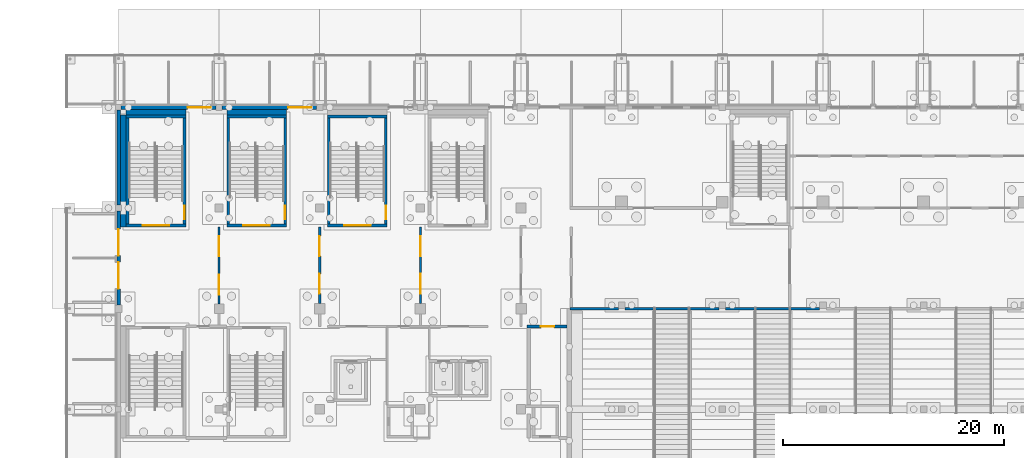
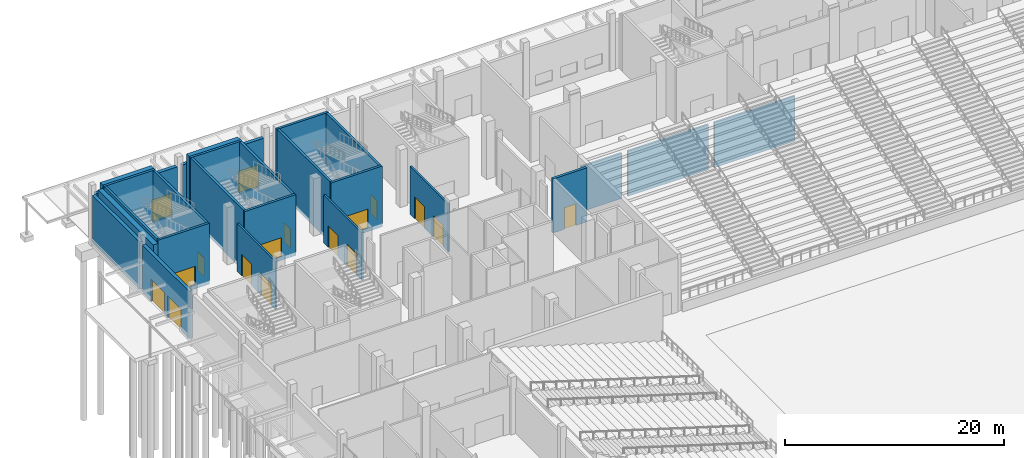
# One storey, part 78 of 129: 26 walls, 17 doors, 17 openings.
"""IFC4 building model written with IfcOpenShell, lengths in metres."""

from ifc_helpers import new_model, si_unit, direction, frame, frame_2d, origin, place, context, subcontext, project, spatial, rectangle, extrude, material, layer, layer_set, type_object, element, fill, save


model = new_model("IFC4")

# Units and contexts
model_context = context("Model", 3, precision=1e-05, world=origin(), true_north=direction((0.0, 1.0)))
body_context = subcontext(model_context, "Body", "Model", "MODEL_VIEW")
ifc_project = project(units=[si_unit("LENGTHUNIT", "METRE"), si_unit("AREAUNIT", "SQUARE_METRE"), si_unit("VOLUMEUNIT", "CUBIC_METRE"), si_unit("PLANEANGLEUNIT", "RADIAN"), si_unit("MASSUNIT", "GRAM", prefix="KILO")], contexts=[model_context])

# Site, building, storey
site_placement = place(None, origin())
site = spatial("IfcSite", under=ifc_project, at=site_placement, CompositionType="ELEMENT")
building_placement = place(site_placement, origin())
building = spatial("IfcBuilding", under=site, at=building_placement, Name="Shirokan Park Arena", CompositionType="ELEMENT")
storey_placement = place(building_placement, origin())
storey = spatial("IfcBuildingStorey", under=building, at=storey_placement, Name="L00", CompositionType="ELEMENT", Elevation=0.0)

# Wall, openings, doors
ifc_material_1 = material(Name="Gypsum board")
ifc_layer_1 = layer(ifc_material_1, 0.02490234375, Name="Gypsum board, two layers")
ifc_material_2 = material(Name="Mineral wool insulation")
ifc_layer_2 = layer(ifc_material_2, 0.14990234375, Name="Mineral wool insulation")
ifc_layer_3 = layer(ifc_material_1, 0.02490234375, Name="Gypsum board, two layers")
ifc_layer_set_1 = layer_set([ifc_layer_1, ifc_layer_2, ifc_layer_3], Name="Gypsum board, two layers + Mineral wool insulation")
wall_type_1 = type_object("IfcWallType", Name="Corridor wall 200", PredefinedType="PARTITIONING", material=ifc_layer_set_1)
wall_1_placement = place(storey_placement, frame((9.10009765625, 98.39990234375, 0.0), z_axis=(0.0, 0.0, 1.0), x_axis=(0.0, -1.0, 0.0)))
wall_1 = element("IfcWall", 1, at=wall_1_placement, inside=storey, type_object=wall_type_1, Name="Corridor wall 200 L00", PredefinedType="PARTITIONING", context=body_context, shape_type="SweptSolid", body=[
    extrude(rectangle(XDim=6.974853515625, YDim=0.199951171875, at=frame_2d((3.4873046875, 0.0))), origin(), (0.0, 0.0, 1.0), 5.320068359375),
])
opening_1_placement = place(wall_1_placement, frame((0.85009765625, 0.0, 0.0)))
opening_1 = element("IfcOpeningElement", 2, at=opening_1_placement, cuts=wall_1, Name="Opening D-0091", PredefinedType="OPENING", context=body_context, shape_type="SweptSolid", body=[
    extrude(rectangle(XDim=1.800048828125, YDim=2.39990234375, at=frame_2d((0.89990234375, 1.199951171875))), frame((0.0, 0.10986328125, 0.0), z_axis=(0.0, -1.0, 0.0), x_axis=(1.0, 0.0, 0.0)), (0.0, 0.0, 1.0), 0.219970703125),
])
opening_2_placement = place(wall_1_placement, frame((4.35009765625, 0.0, 0.0)))
opening_2 = element("IfcOpeningElement", 3, at=opening_2_placement, cuts=wall_1, Name="Opening D-0092", PredefinedType="OPENING", context=body_context, shape_type="SweptSolid", body=[
    extrude(rectangle(XDim=1.800048828125, YDim=2.39990234375, at=frame_2d((0.89990234375, 1.199951171875))), frame((0.0, 0.10986328125, 0.0), z_axis=(0.0, -1.0, 0.0), x_axis=(1.0, 0.0, 0.0)), (0.0, 0.0, 1.0), 0.219970703125),
])
ifc_material_3 = material(Name="Glazed steel door set, fire resisting", Category="steel")
door_type_1 = type_object("IfcDoorType", Name="Lift lobby door 1800 x 2400", OperationType="DOUBLE_DOOR_SINGLE_SWING", PredefinedType="DOOR", material=ifc_material_3)
door_1_placement = place(opening_1_placement, origin())
door_1 = element("IfcDoor", 4, at=door_1_placement, inside=storey, type_object=door_type_1, Name="Door between Equipment Lobby 4.0.1 and Hospitality Reception 4.0.2 D-0091", OperationType="DOUBLE_DOOR_SINGLE_SWING", OverallHeight=2.39990234375, OverallWidth=1.800048828125, PredefinedType="DOOR", context=body_context, shape_type="SweptSolid", body=[
    extrude(rectangle(XDim=1.800048828125, YDim=2.39990234375, at=frame_2d((0.89990234375, 1.199951171875))), frame((0.0, 0.02490234375, 0.0), z_axis=(0.0, -1.0, 0.0), x_axis=(1.0, 0.0, 0.0)), (0.0, 0.0, 1.0), 0.050048828125),
])
fill(opening_1, door_1)
door_2_placement = place(opening_2_placement, origin())
door_2 = element("IfcDoor", 5, at=door_2_placement, inside=storey, type_object=door_type_1, Name="Door between Equipment Lobby 4.0.1 and Hospitality Reception 4.0.2 D-0092", OperationType="DOUBLE_DOOR_SINGLE_SWING", OverallHeight=2.39990234375, OverallWidth=1.800048828125, PredefinedType="DOOR", context=body_context, shape_type="SweptSolid", body=[
    extrude(rectangle(XDim=1.800048828125, YDim=2.39990234375, at=frame_2d((0.89990234375, 1.199951171875))), frame((0.0, 0.02490234375, 0.0), z_axis=(0.0, -1.0, 0.0), x_axis=(1.0, 0.0, 0.0)), (0.0, 0.0, 1.0), 0.050048828125),
])
fill(opening_2, door_2)

wall_2_placement = place(storey_placement, frame((18.199951171875, 98.39990234375, 0.0), z_axis=(0.0, 0.0, 1.0), x_axis=(0.0, -1.0, 0.0)))
wall_2 = element("IfcWall", 6, at=wall_2_placement, inside=storey, type_object=wall_type_1, Name="Corridor wall 200 L00", PredefinedType="PARTITIONING", context=body_context, shape_type="SweptSolid", body=[
    extrude(rectangle(XDim=6.9248046875, YDim=0.199951171875, at=frame_2d((3.46240234375, 0.0))), origin(), (0.0, 0.0, 1.0), 5.320068359375),
])
opening_3_placement = place(wall_2_placement, frame((0.85009765625, 0.0, 0.0)))
opening_3 = element("IfcOpeningElement", 7, at=opening_3_placement, cuts=wall_2, Name="Opening D-0093", PredefinedType="OPENING", context=body_context, shape_type="SweptSolid", body=[
    extrude(rectangle(XDim=1.800048828125, YDim=2.39990234375, at=frame_2d((0.89990234375, 1.199951171875))), frame((0.0, 0.10986328125, 0.0), z_axis=(0.0, -1.0, 0.0), x_axis=(1.0, 0.0, 0.0)), (0.0, 0.0, 1.0), 0.219970703125),
])
opening_4_placement = place(wall_2_placement, frame((4.25, 0.0, 0.0)))
opening_4 = element("IfcOpeningElement", 8, at=opening_4_placement, cuts=wall_2, Name="Opening D-0094", PredefinedType="OPENING", context=body_context, shape_type="SweptSolid", body=[
    extrude(rectangle(XDim=1.800048828125, YDim=2.39990234375, at=frame_2d((0.89990234375, 1.199951171875))), frame((0.0, 0.10986328125, 0.0), z_axis=(0.0, -1.0, 0.0), x_axis=(1.0, 0.0, 0.0)), (0.0, 0.0, 1.0), 0.219970703125),
])
door_3_placement = place(opening_3_placement, origin())
door_3 = element("IfcDoor", 9, at=door_3_placement, inside=storey, type_object=door_type_1, Name="Door between Hospitality Reception 4.0.2 and Team Foyer 4.0.3 D-0093", OperationType="DOUBLE_DOOR_SINGLE_SWING", OverallHeight=2.39990234375, OverallWidth=1.800048828125, PredefinedType="DOOR", context=body_context, shape_type="SweptSolid", body=[
    extrude(rectangle(XDim=1.800048828125, YDim=2.39990234375, at=frame_2d((0.89990234375, 1.199951171875))), frame((0.0, 0.02490234375, 0.0), z_axis=(0.0, -1.0, 0.0), x_axis=(1.0, 0.0, 0.0)), (0.0, 0.0, 1.0), 0.050048828125),
])
fill(opening_3, door_3)
door_4_placement = place(opening_4_placement, origin())
door_4 = element("IfcDoor", 10, at=door_4_placement, inside=storey, type_object=door_type_1, Name="Door between Hospitality Reception 4.0.2 and Team Foyer 4.0.3 D-0094", OperationType="DOUBLE_DOOR_SINGLE_SWING", OverallHeight=2.39990234375, OverallWidth=1.800048828125, PredefinedType="DOOR", context=body_context, shape_type="SweptSolid", body=[
    extrude(rectangle(XDim=1.800048828125, YDim=2.39990234375, at=frame_2d((0.89990234375, 1.199951171875))), frame((0.0, 0.02490234375, 0.0), z_axis=(0.0, -1.0, 0.0), x_axis=(1.0, 0.0, 0.0)), (0.0, 0.0, 1.0), 0.050048828125),
])
fill(opening_4, door_4)

wall_3_placement = place(storey_placement, frame((27.300048828125, 98.39990234375, 0.0), z_axis=(0.0, 0.0, 1.0), x_axis=(0.0, -1.0, 0.0)))
wall_3 = element("IfcWall", 11, at=wall_3_placement, inside=storey, type_object=wall_type_1, Name="Corridor wall 200 L00", PredefinedType="PARTITIONING", context=body_context, shape_type="SweptSolid", body=[
    extrude(rectangle(XDim=6.9248046875, YDim=0.199951171875, at=frame_2d((3.46240234375, 0.0))), origin(), (0.0, 0.0, 1.0), 5.320068359375),
])
opening_5_placement = place(wall_3_placement, frame((0.85009765625, 0.0, 0.0)))
opening_5 = element("IfcOpeningElement", 12, at=opening_5_placement, cuts=wall_3, Name="Opening D-0095", PredefinedType="OPENING", context=body_context, shape_type="SweptSolid", body=[
    extrude(rectangle(XDim=1.800048828125, YDim=2.39990234375, at=frame_2d((0.89990234375, 1.199951171875))), frame((0.0, 0.10986328125, 0.0), z_axis=(0.0, -1.0, 0.0), x_axis=(1.0, 0.0, 0.0)), (0.0, 0.0, 1.0), 0.219970703125),
])
opening_6_placement = place(wall_3_placement, frame((4.25, 0.0, 0.0)))
opening_6 = element("IfcOpeningElement", 13, at=opening_6_placement, cuts=wall_3, Name="Opening D-0096", PredefinedType="OPENING", context=body_context, shape_type="SweptSolid", body=[
    extrude(rectangle(XDim=1.800048828125, YDim=2.39990234375, at=frame_2d((0.89990234375, 1.199951171875))), frame((0.0, 0.10986328125, 0.0), z_axis=(0.0, -1.0, 0.0), x_axis=(1.0, 0.0, 0.0)), (0.0, 0.0, 1.0), 0.219970703125),
])
door_5_placement = place(opening_5_placement, origin())
door_5 = element("IfcDoor", 14, at=door_5_placement, inside=storey, type_object=door_type_1, Name="Door between Team Foyer 4.0.3 and Players Lounge 4.0.4 D-0095", OperationType="DOUBLE_DOOR_SINGLE_SWING", OverallHeight=2.39990234375, OverallWidth=1.800048828125, PredefinedType="DOOR", context=body_context, shape_type="SweptSolid", body=[
    extrude(rectangle(XDim=1.800048828125, YDim=2.39990234375, at=frame_2d((0.89990234375, 1.199951171875))), frame((0.0, 0.02490234375, 0.0), z_axis=(0.0, -1.0, 0.0), x_axis=(1.0, 0.0, 0.0)), (0.0, 0.0, 1.0), 0.050048828125),
])
fill(opening_5, door_5)
door_6_placement = place(opening_6_placement, origin())
door_6 = element("IfcDoor", 15, at=door_6_placement, inside=storey, type_object=door_type_1, Name="Door between Team Foyer 4.0.3 and Players Lounge 4.0.4 D-0096", OperationType="DOUBLE_DOOR_SINGLE_SWING", OverallHeight=2.39990234375, OverallWidth=1.800048828125, PredefinedType="DOOR", context=body_context, shape_type="SweptSolid", body=[
    extrude(rectangle(XDim=1.800048828125, YDim=2.39990234375, at=frame_2d((0.89990234375, 1.199951171875))), frame((0.0, 0.02490234375, 0.0), z_axis=(0.0, -1.0, 0.0), x_axis=(1.0, 0.0, 0.0)), (0.0, 0.0, 1.0), 0.050048828125),
])
fill(opening_6, door_6)

# Walls
wall_4_placement = place(storey_placement, frame((45.199951171875, 91.0, 0.0), z_axis=(0.0, 0.0, 1.0), x_axis=(-1.0, 0.0, 0.0)))
element("IfcWall", 16, at=wall_4_placement, inside=storey, type_object=wall_type_1, Name="Corridor wall 200 L00", PredefinedType="PARTITIONING", context=body_context, shape_type="SweptSolid", body=[
    extrude(rectangle(XDim=4.349853515625, YDim=0.199951171875, at=frame_2d((2.1748046875, 0.0))), origin(), (0.0, 0.0, 1.0), 5.02001953125),
])
for number, where, z_axis, x_axis, name in (
    (17, (54.300048828125, 91.0, 0.0), (0.0, 0.0, 1.0), (-1.0, 0.0, 0.0), "Corridor wall 200 L00"),
    (18, (54.89990234375, 91.0, 0.0), (0.0, 0.0, 1.0), (1.0, 0.0, 0.0), "Corridor wall 200 L00"),
):
    element("IfcWall", number, at=place(storey_placement, frame(where, z_axis=z_axis, x_axis=x_axis)), inside=storey, type_object=wall_type_1, Name=name, PredefinedType="PARTITIONING", context=body_context, shape_type="SweptSolid", body=[
        extrude(rectangle(XDim=8.5, YDim=0.199951171875, at=frame_2d((4.25, 0.0))), origin(), (0.0, 0.0, 1.0), 5.02001953125),
    ])

# Wall, opening, door
ifc_material_4 = material(Name="Cedar cladding")
ifc_layer_4 = layer(ifc_material_4, 0.030029296875, Name="Cedar cladding")
ifc_layer_5 = layer(ifc_material_2, 0.10009765625, Name="Mineral wool insulation")
ifc_material_5 = material(Name="Concrete C35", Category="concrete")
ifc_layer_6 = layer(ifc_material_5, 0.199951171875, Name="Concrete C35")
ifc_material_6 = material(Name="Gypsum board lining")
ifc_layer_7 = layer(ifc_material_6, 0.02001953125, Name="Gypsum board lining")
ifc_layer_set_2 = layer_set([ifc_layer_4, ifc_layer_5, ifc_layer_6, ifc_layer_7], Name="Cedar cladding + Mineral wool insulation + Concrete C35 + Gypsum board lining")
wall_type_2 = type_object("IfcWallType", Name="Insulated tower wall 350", PredefinedType="SOLIDWALL", material=ifc_layer_set_2)
wall_5_placement = place(storey_placement, frame((17.925048828125, 109.175048828125, 0.0), z_axis=(0.0, 0.0, 1.0), x_axis=(-1.0, 0.0, 0.0)))
wall_5 = element("IfcWall", 19, at=wall_5_placement, inside=storey, type_object=wall_type_2, Name="North facade wall bay 15 L00", PredefinedType="SOLIDWALL", context=body_context, shape_type="SweptSolid", body=[
    extrude(rectangle(XDim=8.550048828125, YDim=0.35009765625, at=frame_2d((4.27490234375, 0.0))), origin(), (0.0, 0.0, 1.0), 5.27001953125),
])
opening_7_placement = place(wall_5_placement, frame((0.47509765625, 0.0, 0.0)))
opening_7 = element("IfcOpeningElement", 20, at=opening_7_placement, cuts=wall_5, Name="Opening G14", PredefinedType="OPENING", context=body_context, shape_type="SweptSolid", body=[
    extrude(rectangle(XDim=2.10009765625, YDim=2.39990234375, at=frame_2d((1.050048828125, 1.199951171875))), frame((0.0, 0.18505859375, 0.0), z_axis=(0.0, -1.0, 0.0), x_axis=(1.0, 0.0, 0.0)), (0.0, 0.0, 1.0), 0.3701171875),
])
ifc_material_7 = material(Name="Steel and glass door", Category="steel")
door_type_2 = type_object("IfcDoorType", Name="Exit door pair 2100x2400", OperationType="DOUBLE_DOOR_SINGLE_SWING", PredefinedType="DOOR", material=ifc_material_7)
door_7_placement = place(opening_7_placement, frame((2.10009765625, 0.0, 0.0), z_axis=(0.0, 0.0, 1.0), x_axis=(-1.0, 0.0, 0.0)))
door_7 = element("IfcDoor", 21, at=door_7_placement, inside=storey, type_object=door_type_2, Name="Pedestrian exit gate G14", OperationType="DOUBLE_DOOR_SINGLE_SWING", OverallHeight=2.39990234375, OverallWidth=2.10009765625, PredefinedType="DOOR", context=body_context, shape_type="SweptSolid", body=[
    extrude(rectangle(XDim=2.10009765625, YDim=2.39990234375, at=frame_2d((1.050048828125, 1.199951171875))), frame((0.0, 0.02490234375, 0.0), z_axis=(0.0, -1.0, 0.0), x_axis=(1.0, 0.0, 0.0)), (0.0, 0.0, 1.0), 0.050048828125),
])
fill(opening_7, door_7)

wall_6_placement = place(storey_placement, frame((8.824951171875, 109.175048828125, 0.0), z_axis=(0.0, 0.0, 1.0), x_axis=(-1.0, 0.0, 0.0)))
wall_6 = element("IfcWall", 22, at=wall_6_placement, inside=storey, type_object=wall_type_2, Name="North facade wall bay 16 L00", PredefinedType="SOLIDWALL", context=body_context, shape_type="SweptSolid", body=[
    extrude(rectangle(XDim=8.574951171875, YDim=0.35009765625, at=frame_2d((4.28759765625, 0.0))), origin(), (0.0, 0.0, 1.0), 5.27001953125),
])
opening_8_placement = place(wall_6_placement, frame((0.47509765625, 0.0, 0.0)))
opening_8 = element("IfcOpeningElement", 23, at=opening_8_placement, cuts=wall_6, Name="Opening G13", PredefinedType="OPENING", context=body_context, shape_type="SweptSolid", body=[
    extrude(rectangle(XDim=2.10009765625, YDim=2.39990234375, at=frame_2d((1.050048828125, 1.199951171875))), frame((0.0, 0.18505859375, 0.0), z_axis=(0.0, -1.0, 0.0), x_axis=(1.0, 0.0, 0.0)), (0.0, 0.0, 1.0), 0.3701171875),
])
door_8_placement = place(opening_8_placement, frame((2.10009765625, 0.0, 0.0), z_axis=(0.0, 0.0, 1.0), x_axis=(-1.0, 0.0, 0.0)))
door_8 = element("IfcDoor", 24, at=door_8_placement, inside=storey, type_object=door_type_2, Name="Pedestrian exit gate G13", OperationType="DOUBLE_DOOR_SINGLE_SWING", OverallHeight=2.39990234375, OverallWidth=2.10009765625, PredefinedType="DOOR", context=body_context, shape_type="SweptSolid", body=[
    extrude(rectangle(XDim=2.10009765625, YDim=2.39990234375, at=frame_2d((1.050048828125, 1.199951171875))), frame((0.0, 0.02490234375, 0.0), z_axis=(0.0, -1.0, 0.0), x_axis=(1.0, 0.0, 0.0)), (0.0, 0.0, 1.0), 0.050048828125),
])
fill(opening_8, door_8)

# Wall
wall_7_placement = place(storey_placement, frame((0.02490234375, 108.949951171875, 0.0), z_axis=(0.0, 0.0, 1.0), x_axis=(0.0, -1.0, 0.0)))
element("IfcWall", 25, at=wall_7_placement, inside=storey, type_object=wall_type_2, Name="West facade wall bay 1 L00", PredefinedType="SOLIDWALL", context=body_context, shape_type="SweptSolid", body=[
    extrude(rectangle(XDim=8.574951171875, YDim=0.35009765625, at=frame_2d((4.28759765625, 0.0))), origin(), (0.0, 0.0, 1.0), 5.27001953125),
])

# Wall, openings, doors
wall_8_placement = place(storey_placement, frame((0.02490234375, 99.824951171875, 0.0), z_axis=(0.0, 0.0, 1.0), x_axis=(0.0, -1.0, 0.0)))
wall_8 = element("IfcWall", 26, at=wall_8_placement, inside=storey, type_object=wall_type_2, Name="West facade wall bay 2 L00", PredefinedType="SOLIDWALL", context=body_context, shape_type="SweptSolid", body=[
    extrude(rectangle(XDim=8.5, YDim=0.35009765625, at=frame_2d((4.25, 0.0))), origin(), (0.0, 0.0, 1.0), 5.27001953125),
])
opening_9_placement = place(wall_8_placement, frame((1.625, 0.0, 0.0)))
opening_9 = element("IfcOpeningElement", 27, at=opening_9_placement, cuts=wall_8, Name="Opening G18", PredefinedType="OPENING", context=body_context, shape_type="SweptSolid", body=[
    extrude(rectangle(XDim=2.39990234375, YDim=2.39990234375, at=frame_2d((1.199951171875, 1.199951171875))), frame((0.0, 0.18505859375, 0.0), z_axis=(0.0, -1.0, 0.0), x_axis=(1.0, 0.0, 0.0)), (0.0, 0.0, 1.0), 0.3701171875),
])
opening_10_placement = place(wall_8_placement, frame((4.625, 0.0, 0.0)))
opening_10 = element("IfcOpeningElement", 28, at=opening_10_placement, cuts=wall_8, Name="Opening G19", PredefinedType="OPENING", context=body_context, shape_type="SweptSolid", body=[
    extrude(rectangle(XDim=2.39990234375, YDim=2.39990234375, at=frame_2d((1.199951171875, 1.199951171875))), frame((0.0, 0.18505859375, 0.0), z_axis=(0.0, -1.0, 0.0), x_axis=(1.0, 0.0, 0.0)), (0.0, 0.0, 1.0), 0.3701171875),
])
door_type_3 = type_object("IfcDoorType", Name="Exit door pair 2400x2400", OperationType="DOUBLE_DOOR_SINGLE_SWING", PredefinedType="DOOR", material=ifc_material_7)
door_9_placement = place(opening_9_placement, frame((2.39990234375, 0.0, 0.0), z_axis=(0.0, 0.0, 1.0), x_axis=(-1.0, 0.0, 0.0)))
door_9 = element("IfcDoor", 29, at=door_9_placement, inside=storey, type_object=door_type_3, Name="Pedestrian exit gate G18", OperationType="DOUBLE_DOOR_SINGLE_SWING", OverallHeight=2.39990234375, OverallWidth=2.39990234375, PredefinedType="DOOR", context=body_context, shape_type="SweptSolid", body=[
    extrude(rectangle(XDim=2.39990234375, YDim=2.39990234375, at=frame_2d((1.199951171875, 1.199951171875))), frame((0.0, 0.02490234375, 0.0), z_axis=(0.0, -1.0, 0.0), x_axis=(1.0, 0.0, 0.0)), (0.0, 0.0, 1.0), 0.050048828125),
])
fill(opening_9, door_9)
door_10_placement = place(opening_10_placement, frame((2.39990234375, 0.0, 0.0), z_axis=(0.0, 0.0, 1.0), x_axis=(-1.0, 0.0, 0.0)))
door_10 = element("IfcDoor", 30, at=door_10_placement, inside=storey, type_object=door_type_3, Name="Pedestrian exit gate G19", OperationType="DOUBLE_DOOR_SINGLE_SWING", OverallHeight=2.39990234375, OverallWidth=2.39990234375, PredefinedType="DOOR", context=body_context, shape_type="SweptSolid", body=[
    extrude(rectangle(XDim=2.39990234375, YDim=2.39990234375, at=frame_2d((1.199951171875, 1.199951171875))), frame((0.0, 0.02490234375, 0.0), z_axis=(0.0, -1.0, 0.0), x_axis=(1.0, 0.0, 0.0)), (0.0, 0.0, 1.0), 0.050048828125),
])
fill(opening_10, door_10)

# Wall, opening, door
ifc_material_8 = material(Name="Plaster")
ifc_layer_8 = layer(ifc_material_8, 0.012451171875, Name="Plaster")
ifc_material_9 = material(Name="Concrete blockwork", Category="masonry")
ifc_layer_9 = layer(ifc_material_9, 0.25, Name="Concrete blockwork 250")
ifc_layer_10 = layer(ifc_material_8, 0.012451171875, Name="Plaster")
ifc_layer_set_3 = layer_set([ifc_layer_8, ifc_layer_9, ifc_layer_10], Name="Plaster + Concrete blockwork 250")
wall_type_3 = type_object("IfcWallType", Name="Plant room wall 275", PredefinedType="SOLIDWALL", material=ifc_layer_set_3)
wall_9_placement = place(storey_placement, frame((40.550048828125, 89.39990234375, 0.0), z_axis=(0.0, 0.0, 1.0), x_axis=(-1.0, 0.0, 0.0)))
wall_9 = element("IfcWall", 31, at=wall_9_placement, inside=storey, type_object=wall_type_3, Name="Plant room wall 275 L00", PredefinedType="SOLIDWALL", context=body_context, shape_type="SweptSolid", body=[
    extrude(rectangle(XDim=3.587646484375, YDim=0.27490234375, at=frame_2d((1.7939453125, 0.0))), origin(), (0.0, 0.0, 1.0), 6.02001953125),
])
opening_11_placement = place(wall_9_placement, frame((1.14990234375, 0.0, 0.0)))
opening_11 = element("IfcOpeningElement", 32, at=opening_11_placement, cuts=wall_9, Name="Opening D-0022", PredefinedType="OPENING", context=body_context, shape_type="SweptSolid", body=[
    extrude(rectangle(XDim=1.199951171875, YDim=2.39990234375, at=frame_2d((0.60009765625, 1.199951171875))), frame((0.0, 0.1474609375, 0.0), z_axis=(0.0, -1.0, 0.0), x_axis=(1.0, 0.0, 0.0)), (0.0, 0.0, 1.0), 0.294921875),
])
ifc_material_10 = material(Name="Louvred steel door set, fire resisting", Category="steel")
door_type_4 = type_object("IfcDoorType", Name="Plant room door 1200 x 2400", OperationType="SINGLE_SWING_LEFT", PredefinedType="DOOR", material=ifc_material_10)
door_11_placement = place(opening_11_placement, origin())
door_11 = element("IfcDoor", 33, at=door_11_placement, inside=storey, type_object=door_type_4, Name="Door to Electrical Room 0.49 D-0022", OperationType="SINGLE_SWING_RIGHT", OverallHeight=2.39990234375, OverallWidth=1.199951171875, PredefinedType="DOOR", context=body_context, shape_type="SweptSolid", body=[
    extrude(rectangle(XDim=1.199951171875, YDim=2.39990234375, at=frame_2d((0.60009765625, 1.199951171875))), frame((0.0, 0.02490234375, 0.0), z_axis=(0.0, -1.0, 0.0), x_axis=(1.0, 0.0, 0.0)), (0.0, 0.0, 1.0), 0.050048828125),
])
fill(opening_11, door_11)

ifc_material_11 = material(Name="Concrete C40/50", Category="concrete")
ifc_layer_11 = layer(ifc_material_11, 0.25)
ifc_layer_set_4 = layer_set([ifc_layer_11], Name="Concrete C40/50 250 mm")
wall_type_4 = type_object("IfcWallType", Name="RC shear wall 250", PredefinedType="SHEAR", material=ifc_layer_set_4)
wall_10_placement = place(storey_placement, frame((6.10009765625, 98.52490234375, -0.39990234375), z_axis=(0.0, 0.0, 1.0), x_axis=(-1.0, 0.0, 0.0)))
wall_10 = element("IfcWall", 34, at=wall_10_placement, inside=storey, type_object=wall_type_4, Name="Shaft wall Exit Stair 4.A S L00", PredefinedType="SHEAR", context=body_context, shape_type="SweptSolid", body=[
    extrude(rectangle(XDim=5.400146484375, YDim=0.25, at=frame_2d((2.7001953125, 0.0))), origin(), (0.0, 0.0, 1.0), 6.77001953125),
])
opening_12_placement = place(wall_10_placement, frame((1.5, 0.0, 0.39990234375)))
opening_12 = element("IfcOpeningElement", 35, at=opening_12_placement, cuts=wall_10, Name="Opening D-0182", PredefinedType="OPENING", context=body_context, shape_type="SweptSolid", body=[
    extrude(rectangle(XDim=2.39990234375, YDim=2.10009765625, at=frame_2d((1.199951171875, 1.050048828125))), frame((0.0, 0.135009765625, 0.0), z_axis=(0.0, -1.0, 0.0), x_axis=(1.0, 0.0, 0.0)), (0.0, 0.0, 1.0), 0.27001953125),
])
ifc_material_12 = material(Name="Steel door set, fire resisting", Category="steel")
door_type_5 = type_object("IfcDoorType", Name="Stair door 2400 x 2100", OperationType="DOUBLE_DOOR_SINGLE_SWING", PredefinedType="DOOR", material=ifc_material_12)
door_12_placement = place(opening_12_placement, origin())
door_12 = element("IfcDoor", 36, at=door_12_placement, inside=storey, type_object=door_type_5, Name="Stair door Exit Stair 4.A D-0182", OperationType="DOUBLE_DOOR_SINGLE_SWING", OverallHeight=2.10009765625, OverallWidth=2.39990234375, PredefinedType="DOOR", context=body_context, shape_type="SweptSolid", body=[
    extrude(rectangle(XDim=2.39990234375, YDim=2.10009765625, at=frame_2d((1.199951171875, 1.050048828125))), frame((0.0, 0.02490234375, 0.0), z_axis=(0.0, -1.0, 0.0), x_axis=(1.0, 0.0, 0.0)), (0.0, 0.0, 1.0), 0.050048828125),
])
fill(opening_12, door_12)

# Walls
wall_11_placement = place(storey_placement, frame((6.10009765625, 108.375, -0.39990234375), z_axis=(0.0, 0.0, 1.0), x_axis=(-1.0, 0.0, 0.0)))
element("IfcWall", 37, at=wall_11_placement, inside=storey, type_object=wall_type_4, Name="Shaft wall Exit Stair 4.A N L00", PredefinedType="SHEAR", context=body_context, shape_type="SweptSolid", body=[
    extrude(rectangle(XDim=5.400146484375, YDim=0.25, at=frame_2d((2.7001953125, 0.0))), origin(), (0.0, 0.0, 1.0), 6.77001953125),
])
wall_12_placement = place(storey_placement, frame((0.824951171875, 108.25, -0.39990234375), z_axis=(0.0, 0.0, 1.0), x_axis=(0.0, -1.0, 0.0)))
element("IfcWall", 38, at=wall_12_placement, inside=storey, type_object=wall_type_4, Name="Shaft wall Exit Stair 4.A W L00", PredefinedType="SHEAR", context=body_context, shape_type="SweptSolid", body=[
    extrude(rectangle(XDim=9.60009765625, YDim=0.25, at=frame_2d((4.800048828125, 0.0))), origin(), (0.0, 0.0, 1.0), 6.77001953125),
])

# Wall, opening, door
wall_13_placement = place(storey_placement, frame((5.97509765625, 108.25, -0.39990234375), z_axis=(0.0, 0.0, 1.0), x_axis=(0.0, -1.0, 0.0)))
wall_13 = element("IfcWall", 39, at=wall_13_placement, inside=storey, type_object=wall_type_4, Name="Shaft wall Exit Stair 4.A E L00", PredefinedType="SHEAR", context=body_context, shape_type="SweptSolid", body=[
    extrude(rectangle(XDim=9.60009765625, YDim=0.25, at=frame_2d((4.800048828125, 0.0))), origin(), (0.0, 0.0, 1.0), 6.77001953125),
])
opening_13_placement = place(wall_13_placement, frame((7.949951171875, 0.0, 0.39990234375)))
opening_13 = element("IfcOpeningElement", 40, at=opening_13_placement, cuts=wall_13, Name="Opening D-0205", PredefinedType="OPENING", context=body_context, shape_type="SweptSolid", body=[
    extrude(rectangle(XDim=1.199951171875, YDim=2.10009765625, at=frame_2d((0.60009765625, 1.050048828125))), frame((0.0, 0.135009765625, 0.0), z_axis=(0.0, -1.0, 0.0), x_axis=(1.0, 0.0, 0.0)), (0.0, 0.0, 1.0), 0.27001953125),
])
door_type_6 = type_object("IfcDoorType", Name="Stair exit door 1200 x 2100", OperationType="SINGLE_SWING_LEFT", PredefinedType="DOOR", material=ifc_material_12)
door_13_placement = place(opening_13_placement, origin())
door_13 = element("IfcDoor", 41, at=door_13_placement, inside=storey, type_object=door_type_6, Name="Stair exit door Exit Stair 4.A D-0205", OperationType="SINGLE_SWING_LEFT", OverallHeight=2.10009765625, OverallWidth=1.199951171875, PredefinedType="DOOR", context=body_context, shape_type="SweptSolid", body=[
    extrude(rectangle(XDim=1.199951171875, YDim=2.10009765625, at=frame_2d((0.60009765625, 1.050048828125))), frame((0.0, 0.02490234375, 0.0), z_axis=(0.0, -1.0, 0.0), x_axis=(1.0, 0.0, 0.0)), (0.0, 0.0, 1.0), 0.050048828125),
])
fill(opening_13, door_13)

wall_14_placement = place(storey_placement, frame((15.199951171875, 98.52490234375, -0.39990234375), z_axis=(0.0, 0.0, 1.0), x_axis=(-1.0, 0.0, 0.0)))
wall_14 = element("IfcWall", 42, at=wall_14_placement, inside=storey, type_object=wall_type_4, Name="Shaft wall Exit Stair 4.B S L00", PredefinedType="SHEAR", context=body_context, shape_type="SweptSolid", body=[
    extrude(rectangle(XDim=5.39990234375, YDim=0.25, at=frame_2d((2.699951171875, 0.0))), origin(), (0.0, 0.0, 1.0), 6.77001953125),
])
opening_14_placement = place(wall_14_placement, frame((1.5, 0.0, 0.39990234375)))
opening_14 = element("IfcOpeningElement", 43, at=opening_14_placement, cuts=wall_14, Name="Opening D-0183", PredefinedType="OPENING", context=body_context, shape_type="SweptSolid", body=[
    extrude(rectangle(XDim=2.39990234375, YDim=2.10009765625, at=frame_2d((1.199951171875, 1.050048828125))), frame((0.0, 0.135009765625, 0.0), z_axis=(0.0, -1.0, 0.0), x_axis=(1.0, 0.0, 0.0)), (0.0, 0.0, 1.0), 0.27001953125),
])
door_14_placement = place(opening_14_placement, origin())
door_14 = element("IfcDoor", 44, at=door_14_placement, inside=storey, type_object=door_type_5, Name="Stair door Exit Stair 4.B D-0183", OperationType="DOUBLE_DOOR_SINGLE_SWING", OverallHeight=2.10009765625, OverallWidth=2.39990234375, PredefinedType="DOOR", context=body_context, shape_type="SweptSolid", body=[
    extrude(rectangle(XDim=2.39990234375, YDim=2.10009765625, at=frame_2d((1.199951171875, 1.050048828125))), frame((0.0, 0.02490234375, 0.0), z_axis=(0.0, -1.0, 0.0), x_axis=(1.0, 0.0, 0.0)), (0.0, 0.0, 1.0), 0.050048828125),
])
fill(opening_14, door_14)

# Walls
wall_15_placement = place(storey_placement, frame((15.199951171875, 108.375, -0.39990234375), z_axis=(0.0, 0.0, 1.0), x_axis=(-1.0, 0.0, 0.0)))
element("IfcWall", 45, at=wall_15_placement, inside=storey, type_object=wall_type_4, Name="Shaft wall Exit Stair 4.B N L00", PredefinedType="SHEAR", context=body_context, shape_type="SweptSolid", body=[
    extrude(rectangle(XDim=5.39990234375, YDim=0.25, at=frame_2d((2.699951171875, 0.0))), origin(), (0.0, 0.0, 1.0), 6.77001953125),
])
wall_16_placement = place(storey_placement, frame((9.925048828125, 108.25, -0.39990234375), z_axis=(0.0, 0.0, 1.0), x_axis=(0.0, -1.0, 0.0)))
element("IfcWall", 46, at=wall_16_placement, inside=storey, type_object=wall_type_4, Name="Shaft wall Exit Stair 4.B W L00", PredefinedType="SHEAR", context=body_context, shape_type="SweptSolid", body=[
    extrude(rectangle(XDim=9.60009765625, YDim=0.25, at=frame_2d((4.800048828125, 0.0))), origin(), (0.0, 0.0, 1.0), 6.77001953125),
])

# Wall, opening, door
wall_17_placement = place(storey_placement, frame((15.074951171875, 108.25, -0.39990234375), z_axis=(0.0, 0.0, 1.0), x_axis=(0.0, -1.0, 0.0)))
wall_17 = element("IfcWall", 47, at=wall_17_placement, inside=storey, type_object=wall_type_4, Name="Shaft wall Exit Stair 4.B E L00", PredefinedType="SHEAR", context=body_context, shape_type="SweptSolid", body=[
    extrude(rectangle(XDim=9.60009765625, YDim=0.25, at=frame_2d((4.800048828125, 0.0))), origin(), (0.0, 0.0, 1.0), 6.77001953125),
])
opening_15_placement = place(wall_17_placement, frame((7.949951171875, 0.0, 0.39990234375)))
opening_15 = element("IfcOpeningElement", 48, at=opening_15_placement, cuts=wall_17, Name="Opening D-0206", PredefinedType="OPENING", context=body_context, shape_type="SweptSolid", body=[
    extrude(rectangle(XDim=1.199951171875, YDim=2.10009765625, at=frame_2d((0.60009765625, 1.050048828125))), frame((0.0, 0.135009765625, 0.0), z_axis=(0.0, -1.0, 0.0), x_axis=(1.0, 0.0, 0.0)), (0.0, 0.0, 1.0), 0.27001953125),
])
door_15_placement = place(opening_15_placement, origin())
door_15 = element("IfcDoor", 49, at=door_15_placement, inside=storey, type_object=door_type_6, Name="Stair exit door Exit Stair 4.B D-0206", OperationType="SINGLE_SWING_LEFT", OverallHeight=2.10009765625, OverallWidth=1.199951171875, PredefinedType="DOOR", context=body_context, shape_type="SweptSolid", body=[
    extrude(rectangle(XDim=1.199951171875, YDim=2.10009765625, at=frame_2d((0.60009765625, 1.050048828125))), frame((0.0, 0.02490234375, 0.0), z_axis=(0.0, -1.0, 0.0), x_axis=(1.0, 0.0, 0.0)), (0.0, 0.0, 1.0), 0.050048828125),
])
fill(opening_15, door_15)

wall_18_placement = place(storey_placement, frame((24.300048828125, 98.52490234375, -0.39990234375), z_axis=(0.0, 0.0, 1.0), x_axis=(-1.0, 0.0, 0.0)))
wall_18 = element("IfcWall", 50, at=wall_18_placement, inside=storey, type_object=wall_type_4, Name="Shaft wall Exit Stair 4.C S L00", PredefinedType="SHEAR", context=body_context, shape_type="SweptSolid", body=[
    extrude(rectangle(XDim=5.400146484375, YDim=0.25, at=frame_2d((2.7001953125, 0.0))), origin(), (0.0, 0.0, 1.0), 6.77001953125),
])
opening_16_placement = place(wall_18_placement, frame((1.5, 0.0, 0.39990234375)))
opening_16 = element("IfcOpeningElement", 51, at=opening_16_placement, cuts=wall_18, Name="Opening D-0184", PredefinedType="OPENING", context=body_context, shape_type="SweptSolid", body=[
    extrude(rectangle(XDim=2.39990234375, YDim=2.10009765625, at=frame_2d((1.199951171875, 1.050048828125))), frame((0.0, 0.135009765625, 0.0), z_axis=(0.0, -1.0, 0.0), x_axis=(1.0, 0.0, 0.0)), (0.0, 0.0, 1.0), 0.27001953125),
])
door_16_placement = place(opening_16_placement, origin())
door_16 = element("IfcDoor", 52, at=door_16_placement, inside=storey, type_object=door_type_5, Name="Stair door Exit Stair 4.C D-0184", OperationType="DOUBLE_DOOR_SINGLE_SWING", OverallHeight=2.10009765625, OverallWidth=2.39990234375, PredefinedType="DOOR", context=body_context, shape_type="SweptSolid", body=[
    extrude(rectangle(XDim=2.39990234375, YDim=2.10009765625, at=frame_2d((1.199951171875, 1.050048828125))), frame((0.0, 0.02490234375, 0.0), z_axis=(0.0, -1.0, 0.0), x_axis=(1.0, 0.0, 0.0)), (0.0, 0.0, 1.0), 0.050048828125),
])
fill(opening_16, door_16)

# Walls
wall_19_placement = place(storey_placement, frame((24.300048828125, 108.375, -0.39990234375), z_axis=(0.0, 0.0, 1.0), x_axis=(-1.0, 0.0, 0.0)))
element("IfcWall", 53, at=wall_19_placement, inside=storey, type_object=wall_type_4, Name="Shaft wall Exit Stair 4.C N L00", PredefinedType="SHEAR", context=body_context, shape_type="SweptSolid", body=[
    extrude(rectangle(XDim=5.400146484375, YDim=0.25, at=frame_2d((2.7001953125, 0.0))), origin(), (0.0, 0.0, 1.0), 6.77001953125),
])
wall_20_placement = place(storey_placement, frame((19.02490234375, 108.25, -0.39990234375), z_axis=(0.0, 0.0, 1.0), x_axis=(0.0, -1.0, 0.0)))
element("IfcWall", 54, at=wall_20_placement, inside=storey, type_object=wall_type_4, Name="Shaft wall Exit Stair 4.C W L00", PredefinedType="SHEAR", context=body_context, shape_type="SweptSolid", body=[
    extrude(rectangle(XDim=9.60009765625, YDim=0.25, at=frame_2d((4.800048828125, 0.0))), origin(), (0.0, 0.0, 1.0), 6.77001953125),
])

# Wall, opening, door
wall_21_placement = place(storey_placement, frame((24.175048828125, 108.25, -0.39990234375), z_axis=(0.0, 0.0, 1.0), x_axis=(0.0, -1.0, 0.0)))
wall_21 = element("IfcWall", 55, at=wall_21_placement, inside=storey, type_object=wall_type_4, Name="Shaft wall Exit Stair 4.C E L00", PredefinedType="SHEAR", context=body_context, shape_type="SweptSolid", body=[
    extrude(rectangle(XDim=9.60009765625, YDim=0.25, at=frame_2d((4.800048828125, 0.0))), origin(), (0.0, 0.0, 1.0), 6.77001953125),
])
opening_17_placement = place(wall_21_placement, frame((7.949951171875, 0.0, 0.39990234375)))
opening_17 = element("IfcOpeningElement", 56, at=opening_17_placement, cuts=wall_21, Name="Opening D-0207", PredefinedType="OPENING", context=body_context, shape_type="SweptSolid", body=[
    extrude(rectangle(XDim=1.199951171875, YDim=2.10009765625, at=frame_2d((0.60009765625, 1.050048828125))), frame((0.0, 0.135009765625, 0.0), z_axis=(0.0, -1.0, 0.0), x_axis=(1.0, 0.0, 0.0)), (0.0, 0.0, 1.0), 0.27001953125),
])
door_17_placement = place(opening_17_placement, origin())
door_17 = element("IfcDoor", 57, at=door_17_placement, inside=storey, type_object=door_type_6, Name="Stair exit door Exit Stair 4.C D-0207", OperationType="SINGLE_SWING_LEFT", OverallHeight=2.10009765625, OverallWidth=1.199951171875, PredefinedType="DOOR", context=body_context, shape_type="SweptSolid", body=[
    extrude(rectangle(XDim=1.199951171875, YDim=2.10009765625, at=frame_2d((0.60009765625, 1.050048828125))), frame((0.0, 0.02490234375, 0.0), z_axis=(0.0, -1.0, 0.0), x_axis=(1.0, 0.0, 0.0)), (0.0, 0.0, 1.0), 0.050048828125),
])
fill(opening_17, door_17)

# Walls
ifc_layer_12 = layer(ifc_material_5, 0.5)
ifc_layer_set_5 = layer_set([ifc_layer_12], Name="Concrete C35 500 mm")
wall_type_5 = type_object("IfcWallType", Name="Shaft infill wall 500", PredefinedType="SOLIDWALL", material=ifc_layer_set_5)
wall_22_placement = place(storey_placement, frame((0.699951171875, 108.75, 0.0), z_axis=(0.0, 0.0, 1.0), x_axis=(1.0, 0.0, 0.0)))
element("IfcWall", 58, at=wall_22_placement, inside=storey, type_object=wall_type_5, Name="Shaft infill wall L00", PredefinedType="SOLIDWALL", context=body_context, shape_type="SweptSolid", body=[
    extrude(rectangle(XDim=5.400146484375, YDim=0.5, at=frame_2d((2.7001953125, 0.0))), origin(), (0.0, 0.0, 1.0), 6.3701171875),
])
wall_23_placement = place(storey_placement, frame((0.449951171875, 98.39990234375, 0.0), z_axis=(0.0, 0.0, 1.0), x_axis=(0.0, 1.0, 0.0)))
element("IfcWall", 59, at=wall_23_placement, inside=storey, type_object=wall_type_5, Name="Shaft infill wall L00", PredefinedType="SOLIDWALL", context=body_context, shape_type="SweptSolid", body=[
    extrude(rectangle(XDim=10.10009765625, YDim=0.5, at=frame_2d((5.050048828125, 0.0))), origin(), (0.0, 0.0, 1.0), 6.02001953125),
])
wall_24_placement = place(storey_placement, frame((9.800048828125, 108.75, 0.0), z_axis=(0.0, 0.0, 1.0), x_axis=(1.0, 0.0, 0.0)))
element("IfcWall", 60, at=wall_24_placement, inside=storey, type_object=wall_type_5, Name="Shaft infill wall L00", PredefinedType="SOLIDWALL", context=body_context, shape_type="SweptSolid", body=[
    extrude(rectangle(XDim=5.39990234375, YDim=0.5, at=frame_2d((2.699951171875, 0.0))), origin(), (0.0, 0.0, 1.0), 6.3701171875),
])

save(model, "model.ifc")
